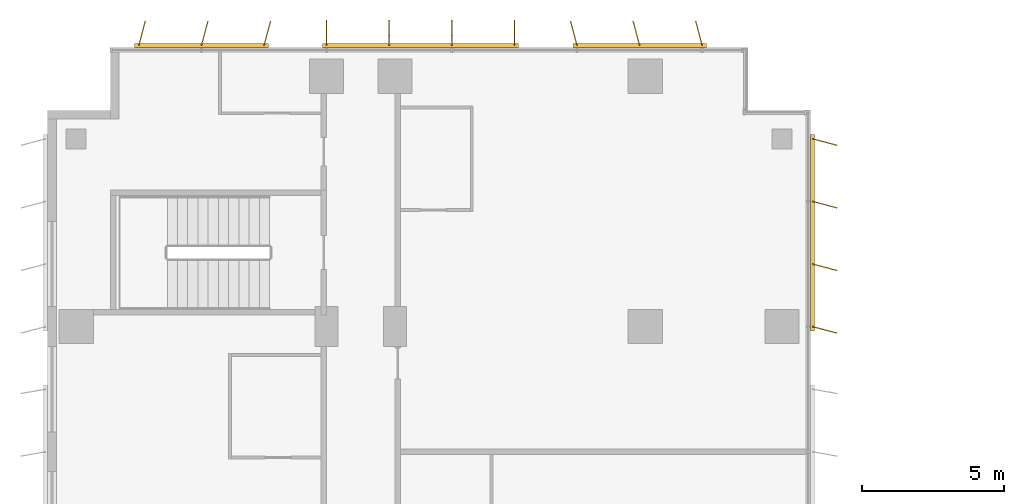
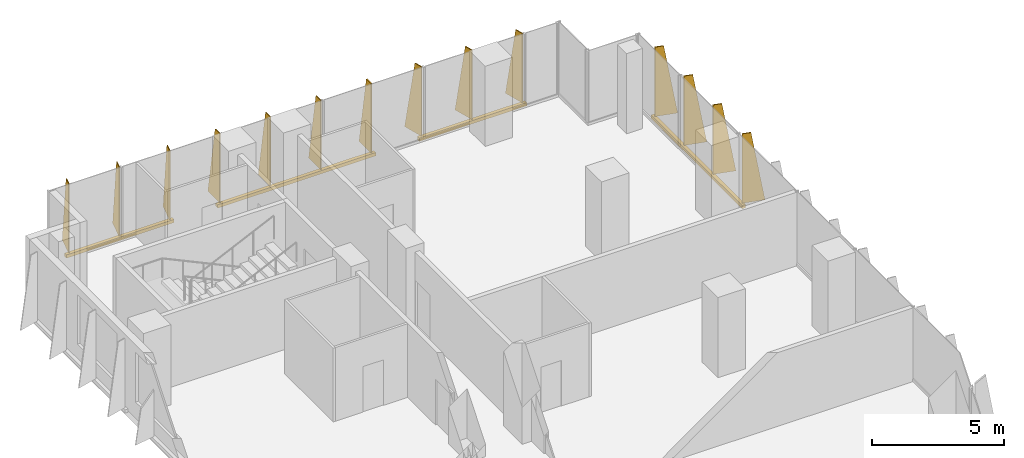
# One storey, part 22 of 22: 4 shading devices.
"""IFC4 building model written with IfcOpenShell, lengths in metres."""

from ifc_helpers import new_model, si_unit, direction, frame, origin, origin_2d, place, context, subcontext, project, spatial, polyline, rectangle, outline, extrude, source, transform, mapped, material, layer, layer_set, type_object, element, save


model = new_model("IFC4")

# Units and contexts
model_context = context("Model", 3, precision=1e-05, world=origin(), true_north=direction((0.0, 1.0)))
body_context = subcontext(model_context, "Body", "Model", "MODEL_VIEW")
ifc_project = project(units=[si_unit("LENGTHUNIT", "METRE"), si_unit("AREAUNIT", "SQUARE_METRE"), si_unit("VOLUMEUNIT", "CUBIC_METRE"), si_unit("PLANEANGLEUNIT", "RADIAN"), si_unit("MASSUNIT", "GRAM", prefix="KILO")], contexts=[model_context])

# Site, building, storey
site_placement = place(None, origin())
site = spatial("IfcSite", under=ifc_project, at=site_placement, CompositionType="ELEMENT")
building_placement = place(site_placement, origin())
building = spatial("IfcBuilding", under=site, at=building_placement, Name="Kemantara Hotel Tower", CompositionType="ELEMENT")
storey_placement = place(building_placement, frame((0.0, 0.0, 125.89990234375)))
storey = spatial("IfcBuildingStorey", under=building, at=storey_placement, Name="L30", CompositionType="ELEMENT", Elevation=125.89990234375)

# Shading devices
ifc_material = material(Name="Perforated aluminium plate 4 mm bronze anodised", Category="aluminium")
ifc_layer_1 = layer(ifc_material, 0.0400390625)
ifc_layer_set_1 = layer_set([ifc_layer_1], Name="Perforated aluminium plate 4 mm bronze anodised")
shading_device_type_1 = type_object("IfcShadingDeviceType", Name="SCREEN FIN CASSETTE, 3 BLADES AT -15.0 DEG, 3200 HIGH", PredefinedType="USERDEFINED", material=ifc_layer_set_1)
shared_shape_1 = source(origin(), body_context, "Body", "SweptSolid", [
    extrude(rectangle(XDim=4.699951171875, YDim=0.14990234375, at=origin_2d()), frame((2.199951171875, -0.074951171875, -0.14990234375), z_axis=(0.0, 0.0, 1.0), x_axis=(1.0, 0.0, 0.0)), (0.0, 0.0, 1.0), 0.14990234375),
    extrude(outline(polyline([(0.0, 0.0), (0.89990234375, 0.0), (0.35009765625, 3.199951171875), (0.0, 3.199951171875), (0.0, 0.0)])), frame((0.019287109375, -0.080078125, 0.0), z_axis=(-0.966437683387, 0.256901156343, 0.0), x_axis=(-0.256901156343, -0.966437683387, 0.0)), (0.0, 0.0, 1.0), 0.039794921875),
    extrude(outline(polyline([(0.0, 0.0), (0.89990234375, 0.0), (0.35009765625, 3.199951171875), (0.0, 3.199951171875), (0.0, 0.0)])), frame((2.21923828125, -0.080078125, 0.0), z_axis=(-0.966437683387, 0.256901156343, 0.0), x_axis=(-0.256901156343, -0.966437683387, 0.0)), (0.0, 0.0, 1.0), 0.039794921875),
    extrude(outline(polyline([(0.0, 0.0), (0.89990234375, 0.0), (0.35009765625, 3.199951171875), (0.0, 3.199951171875), (0.0, 0.0)])), frame((4.41943359375, -0.080078125, 0.0), z_axis=(-0.966837822169, 0.255391122837, 0.0), x_axis=(-0.255391122837, -0.966837822169, 0.0)), (0.0, 0.0, 1.0), 0.0400390625),
])
shading_device_1_placement = place(storey_placement, frame((7.60009765625, 81.199951171875, 0.10009765625), z_axis=(0.0, 0.0, 1.0), x_axis=(-1.0, 0.0, 0.0)))
element("IfcShadingDevice", 1, at=shading_device_1_placement, inside=storey, type_object=shading_device_type_1, Name="SCREEN FIN CASSETTE L30 T2-R01-3", ObjectType="SCREEN FIN", PredefinedType="USERDEFINED", context=body_context, shape_type="MappedRepresentation", body=[
    mapped(shared_shape_1, transform((0.0, 0.0, 0.0))),
])
ifc_layer_2 = layer(ifc_material, 0.0400390625)
ifc_layer_set_2 = layer_set([ifc_layer_2], Name="Perforated aluminium plate 4 mm bronze anodised")
shading_device_type_2 = type_object("IfcShadingDeviceType", Name="SCREEN FIN CASSETTE, 4 BLADES AT +0.0 DEG, 3200 HIGH", PredefinedType="USERDEFINED", material=ifc_layer_set_2)
shared_shape_2 = source(origin(), body_context, "Body", "SweptSolid", [
    extrude(rectangle(XDim=6.89990234375, YDim=0.14990234375, at=origin_2d()), frame((3.300048828125, -0.074951171875, -0.14990234375), z_axis=(0.0, 0.0, 1.0), x_axis=(1.0, 0.0, 0.0)), (0.0, 0.0, 1.0), 0.14990234375),
    extrude(outline(polyline([(0.0, 0.0), (0.89990234375, 0.0), (0.35009765625, 3.199951171875), (0.0, 3.199951171875), (0.0, 0.0)])), frame((0.02001953125, -0.074951171875, 0.0), z_axis=(-1.0, 0.0, 0.0), x_axis=(0.0, -1.0, 0.0)), (0.0, 0.0, 1.0), 0.0400390625),
    extrude(outline(polyline([(0.0, 0.0), (0.89990234375, 0.0), (0.35009765625, 3.199951171875), (0.0, 3.199951171875), (0.0, 0.0)])), frame((2.219970703125, -0.074951171875, 0.0), z_axis=(-1.0, 0.0, 0.0), x_axis=(0.0, -1.0, 0.0)), (0.0, 0.0, 1.0), 0.0400390625),
    extrude(outline(polyline([(0.0, 0.0), (0.89990234375, 0.0), (0.35009765625, 3.199951171875), (0.0, 3.199951171875), (0.0, 0.0)])), frame((4.419921875, -0.074951171875, 0.0), z_axis=(-1.0, 0.0, 0.0), x_axis=(0.0, -1.0, 0.0)), (0.0, 0.0, 1.0), 0.0400390625),
    extrude(outline(polyline([(0.0, 0.0), (0.89990234375, 0.0), (0.35009765625, 3.199951171875), (0.0, 3.199951171875), (0.0, 0.0)])), frame((6.6201171875, -0.074951171875, 0.0), z_axis=(-1.0, 0.0, 0.0), x_axis=(0.0, -1.0, 0.0)), (0.0, 0.0, 1.0), 0.0400390625),
])
shading_device_2_placement = place(storey_placement, frame((16.39990234375, 81.199951171875, 0.10009765625), z_axis=(0.0, 0.0, 1.0), x_axis=(-1.0, 0.0, 0.0)))
element("IfcShadingDevice", 2, at=shading_device_2_placement, inside=storey, type_object=shading_device_type_2, Name="SCREEN FIN CASSETTE L30 T2-R01-2", ObjectType="SCREEN FIN", PredefinedType="USERDEFINED", context=body_context, shape_type="MappedRepresentation", body=[
    mapped(shared_shape_2, transform((0.0, 0.0, 0.0))),
])
ifc_layer_3 = layer(ifc_material, 0.0400390625)
ifc_layer_set_3 = layer_set([ifc_layer_3], Name="Perforated aluminium plate 4 mm bronze anodised")
shading_device_type_3 = type_object("IfcShadingDeviceType", Name="SCREEN FIN CASSETTE, 3 BLADES AT +15.0 DEG, 3200 HIGH", PredefinedType="USERDEFINED", material=ifc_layer_set_3)
shared_shape_3 = source(origin(), body_context, "Body", "SweptSolid", [
    extrude(rectangle(XDim=4.699951171875, YDim=0.14990234375, at=origin_2d()), frame((2.199951171875, -0.074951171875, -0.14990234375), z_axis=(0.0, 0.0, 1.0), x_axis=(1.0, 0.0, 0.0)), (0.0, 0.0, 1.0), 0.14990234375),
    extrude(outline(polyline([(0.0, 0.0), (0.89990234375, 0.0), (0.35009765625, 3.199951171875), (0.0, 3.199951171875), (0.0, 0.0)])), frame((0.019287109375, -0.06982421875, 0.0), z_axis=(-0.966437683387, -0.256901156343, 0.0), x_axis=(0.256901156343, -0.966437683387, 0.0)), (0.0, 0.0, 1.0), 0.039794921875),
    extrude(outline(polyline([(0.0, 0.0), (0.89990234375, 0.0), (0.35009765625, 3.199951171875), (0.0, 3.199951171875), (0.0, 0.0)])), frame((2.21923828125, -0.06982421875, 0.0), z_axis=(-0.966437683387, -0.256901156343, 0.0), x_axis=(0.256901156343, -0.966437683387, 0.0)), (0.0, 0.0, 1.0), 0.039794921875),
    extrude(outline(polyline([(0.0, 0.0), (0.89990234375, 0.0), (0.35009765625, 3.199951171875), (0.0, 3.199951171875), (0.0, 0.0)])), frame((4.41943359375, -0.06982421875, 0.0), z_axis=(-0.966837822169, -0.255391122837, 0.0), x_axis=(0.255391122837, -0.966837822169, 0.0)), (0.0, 0.0, 1.0), 0.0400390625),
])
shading_device_3_placement = place(storey_placement, frame((23.0, 81.199951171875, 0.10009765625), z_axis=(0.0, 0.0, 1.0), x_axis=(-1.0, 0.0, 0.0)))
element("IfcShadingDevice", 3, at=shading_device_3_placement, inside=storey, type_object=shading_device_type_3, Name="SCREEN FIN CASSETTE L30 T2-R01-1", ObjectType="SCREEN FIN", PredefinedType="USERDEFINED", context=body_context, shape_type="MappedRepresentation", body=[
    mapped(shared_shape_3, transform((0.0, 0.0, 0.0))),
])
ifc_layer_4 = layer(ifc_material, 0.0400390625)
ifc_layer_set_4 = layer_set([ifc_layer_4], Name="Perforated aluminium plate 4 mm bronze anodised")
shading_device_type_4 = type_object("IfcShadingDeviceType", Name="SCREEN FIN CASSETTE, 4 BLADES AT -15.0 DEG, 3200 HIGH", PredefinedType="USERDEFINED", material=ifc_layer_set_4)
shared_shape_4 = source(origin(), body_context, "Body", "SweptSolid", [
    extrude(rectangle(XDim=6.89990234375, YDim=0.14990234375, at=origin_2d()), frame((3.300048828125, -0.074951171875, -0.14990234375), z_axis=(0.0, 0.0, 1.0), x_axis=(1.0, 0.0, 0.0)), (0.0, 0.0, 1.0), 0.14990234375),
    extrude(outline(polyline([(0.0, 0.0), (0.89990234375, 0.0), (0.35009765625, 3.199951171875), (0.0, 3.199951171875), (0.0, 0.0)])), frame((0.019287109375, -0.080078125, 0.0), z_axis=(-0.966437683387, 0.256901156343, 0.0), x_axis=(-0.256901156343, -0.966437683387, 0.0)), (0.0, 0.0, 1.0), 0.039794921875),
    extrude(outline(polyline([(0.0, 0.0), (0.89990234375, 0.0), (0.35009765625, 3.199951171875), (0.0, 3.199951171875), (0.0, 0.0)])), frame((2.21923828125, -0.080078125, 0.0), z_axis=(-0.966437683387, 0.256901156343, 0.0), x_axis=(-0.256901156343, -0.966437683387, 0.0)), (0.0, 0.0, 1.0), 0.039794921875),
    extrude(outline(polyline([(0.0, 0.0), (0.89990234375, 0.0), (0.35009765625, 3.199951171875), (0.0, 3.199951171875), (0.0, 0.0)])), frame((4.41943359375, -0.080078125, 0.0), z_axis=(-0.966837822169, 0.255391122837, 0.0), x_axis=(-0.255391122837, -0.966837822169, 0.0)), (0.0, 0.0, 1.0), 0.0400390625),
    extrude(outline(polyline([(0.0, 0.0), (0.89990234375, 0.0), (0.35009765625, 3.199951171875), (0.0, 3.199951171875), (0.0, 0.0)])), frame((6.619384765625, -0.080078125, 0.0), z_axis=(-0.966837822169, 0.255391122837, 0.0), x_axis=(-0.255391122837, -0.966837822169, 0.0)), (0.0, 0.0, 1.0), 0.0400390625),
])
shading_device_4_placement = place(storey_placement, frame((26.800048828125, 71.39990234375, 0.10009765625), z_axis=(0.0, 0.0, 1.0), x_axis=(0.0, 1.0, 0.0)))
element("IfcShadingDevice", 4, at=shading_device_4_placement, inside=storey, type_object=shading_device_type_4, Name="SCREEN FIN CASSETTE L30 T2-R14-7", ObjectType="SCREEN FIN", PredefinedType="USERDEFINED", context=body_context, shape_type="MappedRepresentation", body=[
    mapped(shared_shape_4, transform((0.0, 0.0, 0.0))),
])

save(model, "model.ifc")
